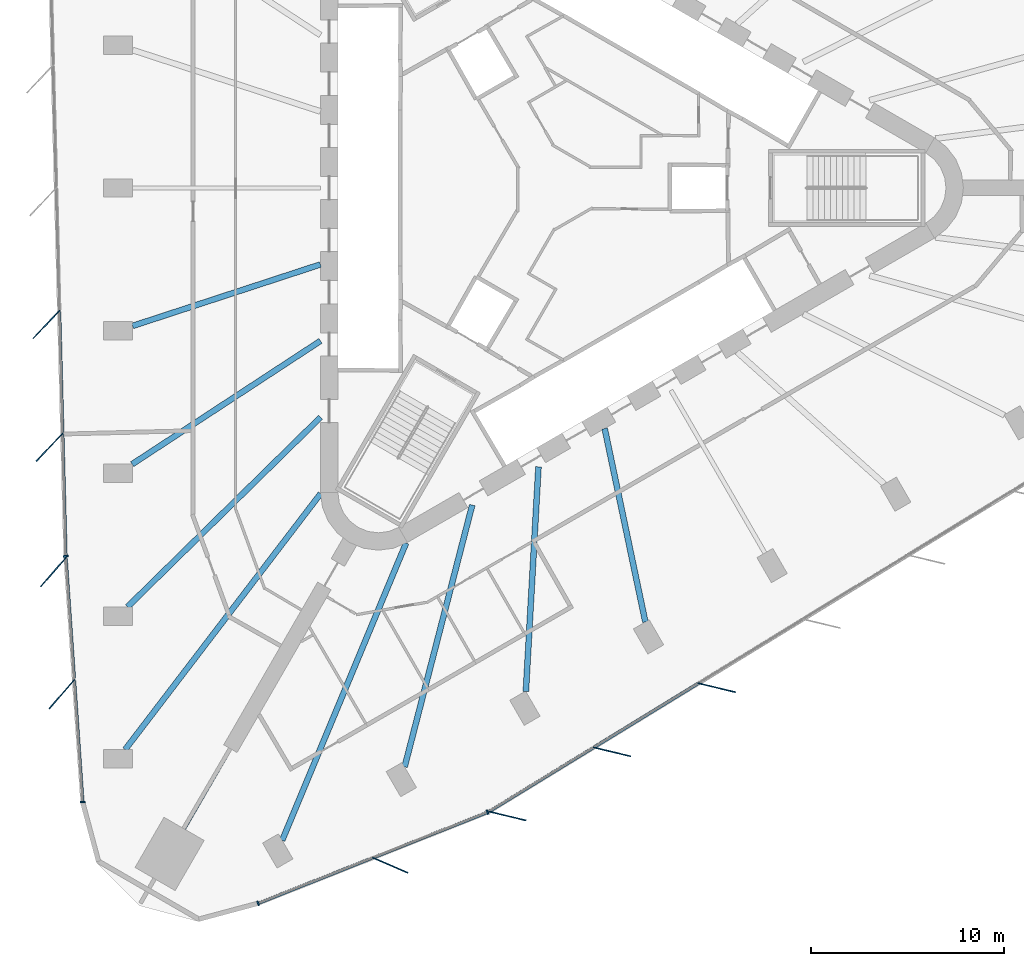
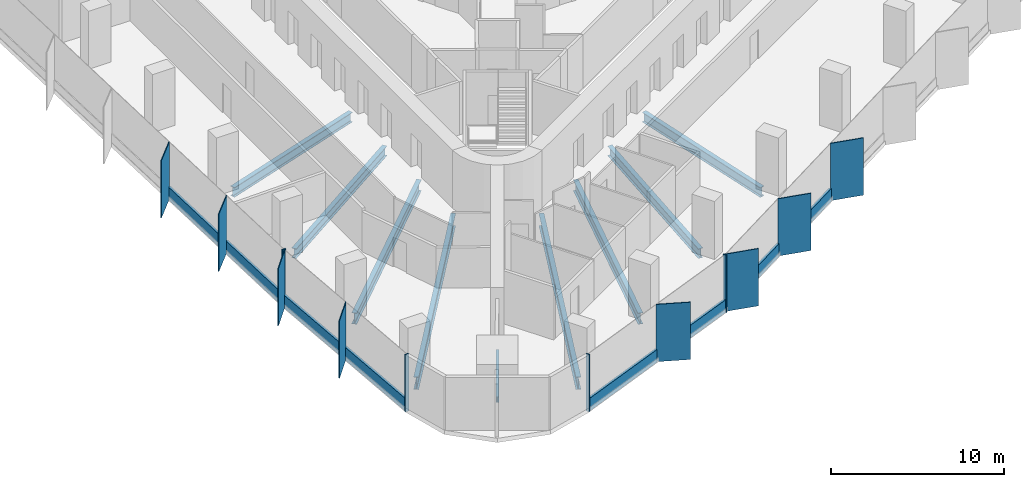
# One storey, part 2 of 14: 20 members, 9 beams, 4 elements without a shape of their own.
"""IFC4 building model written with IfcOpenShell, lengths in metres."""

from ifc_helpers import new_model, si_unit, direction, frame, origin, origin_2d, place, context, subcontext, project, spatial, rectangle, i_section, extrude, material, material_profile, profile_set, type_object, element, aggregate, save


model = new_model("IFC4")

# Units and contexts
model_context = context("Model", 3, precision=1e-05, world=origin(), true_north=direction((0.0, 1.0)))
body_context = subcontext(model_context, "Body", "Model", "MODEL_VIEW")
ifc_project = project(units=[si_unit("LENGTHUNIT", "METRE"), si_unit("AREAUNIT", "SQUARE_METRE"), si_unit("VOLUMEUNIT", "CUBIC_METRE"), si_unit("PLANEANGLEUNIT", "RADIAN"), si_unit("MASSUNIT", "GRAM", prefix="KILO")], contexts=[model_context])

# Site, building, storey
site_placement = place(None, origin())
site = spatial("IfcSite", under=ifc_project, at=site_placement, CompositionType="ELEMENT")
building_placement = place(site_placement, origin())
building = spatial("IfcBuilding", under=site, at=building_placement, Name="Tanit Gate Tower", CompositionType="ELEMENT")
storey_placement = place(building_placement, frame((0.0, 0.0, 152.10009765625)))
storey = spatial("IfcBuildingStorey", under=building, at=storey_placement, Name="L33", CompositionType="ELEMENT", Elevation=152.10009765625)

# Curtain wall, members
ifc_material_1 = material(Name="Aluminium bronze anodised and glass", Category="aluminium")
curtain_wall_type = type_object("IfcCurtainWallType", Name="Curtain wall typical low", PredefinedType="NOTDEFINED", material=ifc_material_1)
curtain_wall_1_placement = place(storey_placement, origin())
curtain_wall_1 = element("IfcCurtainWall", 1, at=curtain_wall_1_placement, inside=storey, type_object=curtain_wall_type, Name="Curtain wall L33 W2", PredefinedType="NOTDEFINED")
ifc_material_2 = material(Name="Aluminium bronze anodised", Category="aluminium")
ifc_material_profile_1 = material_profile(ifc_material_2, rectangle(XDim=2.0, YDim=0.055908203125, at=origin_2d()), Name="56x2000 bronze fin mullion")
ifc_profile_set_1 = profile_set([ifc_material_profile_1], Name="Aluminium bronze anodised")
member_type_1 = type_object("IfcMemberType", Name="FIN MULLION 56x2000 bronze", PredefinedType="MULLION", material=ifc_profile_set_1)
member_1_placement = place(storey_placement, frame((-26.29541015625, -7.067138671875, -0.300048828125), z_axis=(0.0, 0.0, 1.0), x_axis=(0.688538110764, 0.725200158595, 0.0)))
member_1 = element("IfcMember", 2, at=member_1_placement, type_object=member_type_1, Name="Fin mullion L33 W2.5", PredefinedType="MULLION", context=body_context, shape_type="SweptSolid", body=[
    extrude(rectangle(XDim=2.0, YDim=0.055908203125, at=origin_2d()), origin(), (0.0, 0.0, 1.0), 4.050048828125),
])
member_2_placement = place(storey_placement, frame((-26.130615234375, -13.4248046875, -0.300048828125), z_axis=(0.0, 0.0, 1.0), x_axis=(0.688538110764, 0.725200158595, 0.0)))
member_2 = element("IfcMember", 3, at=member_2_placement, type_object=member_type_1, Name="Fin mullion L33 W2.6", PredefinedType="MULLION", context=body_context, shape_type="SweptSolid", body=[
    extrude(rectangle(XDim=2.0, YDim=0.055908203125, at=origin_2d()), origin(), (0.0, 0.0, 1.0), 4.050048828125),
])

curtain_wall_2_placement = place(storey_placement, origin())
curtain_wall_2 = element("IfcCurtainWall", 4, at=curtain_wall_2_placement, inside=storey, type_object=curtain_wall_type, Name="Curtain wall L33 W3", PredefinedType="NOTDEFINED")
member_3_placement = place(storey_placement, frame((-25.930908203125, -19.890625, -0.300048828125), z_axis=(0.0, 0.0, 1.0), x_axis=(0.656773444634, 0.754087954037, 0.0)))
member_3 = element("IfcMember", 5, at=member_3_placement, type_object=member_type_1, Name="Fin mullion L33 W3.1", PredefinedType="MULLION", context=body_context, shape_type="SweptSolid", body=[
    extrude(rectangle(XDim=2.0, YDim=0.055908203125, at=origin_2d()), origin(), (0.0, 0.0, 1.0), 4.050048828125),
])
member_4_placement = place(storey_placement, frame((-25.49462890625, -26.216796875, -0.300048828125), z_axis=(0.0, 0.0, 1.0), x_axis=(0.656773444634, 0.754087954037, 0.0)))
member_4 = element("IfcMember", 6, at=member_4_placement, type_object=member_type_1, Name="Fin mullion L33 W3.2", PredefinedType="MULLION", context=body_context, shape_type="SweptSolid", body=[
    extrude(rectangle(XDim=2.0, YDim=0.055908203125, at=origin_2d()), origin(), (0.0, 0.0, 1.0), 4.050048828125),
])

# Curtain wall, member
curtain_wall_3_placement = place(storey_placement, origin())
curtain_wall_3 = element("IfcCurtainWall", 7, at=curtain_wall_3_placement, inside=storey, type_object=curtain_wall_type, Name="Curtain wall L33 SE1", PredefinedType="NOTDEFINED")
member_5_placement = place(storey_placement, frame((-8.491943359375, -35.07861328125, -0.300048828125), z_axis=(0.0, 0.0, 1.0), x_axis=(-0.918101720276, 0.396344838778, 0.0)))
member_5 = element("IfcMember", 8, at=member_5_placement, type_object=member_type_1, Name="Fin mullion L33 SE1.2", PredefinedType="MULLION", context=body_context, shape_type="SweptSolid", body=[
    extrude(rectangle(XDim=2.0, YDim=0.055908203125, at=origin_2d()), origin(), (0.0, 0.0, 1.0), 4.050048828125),
])

# Curtain wall, members
curtain_wall_4_placement = place(storey_placement, origin())
curtain_wall_4 = element("IfcCurtainWall", 9, at=curtain_wall_4_placement, inside=storey, type_object=curtain_wall_type, Name="Curtain wall L33 SE2", PredefinedType="NOTDEFINED")
member_6_placement = place(storey_placement, frame((-2.42578125, -32.525390625, -0.300048828125), z_axis=(0.0, 0.0, 1.0), x_axis=(-0.972310815553, 0.233691416098, 0.0)))
member_6 = element("IfcMember", 10, at=member_6_placement, type_object=member_type_1, Name="Fin mullion L33 SE2.1", PredefinedType="MULLION", context=body_context, shape_type="SweptSolid", body=[
    extrude(rectangle(XDim=2.0, YDim=0.055908203125, at=origin_2d()), origin(), (0.0, 0.0, 1.0), 4.050048828125),
])
member_7_placement = place(storey_placement, frame((2.997802734375, -29.203857421875, -0.300048828125), z_axis=(0.0, 0.0, 1.0), x_axis=(-0.972310815553, 0.233691416098, 0.0)))
member_7 = element("IfcMember", 11, at=member_7_placement, type_object=member_type_1, Name="Fin mullion L33 SE2.2", PredefinedType="MULLION", context=body_context, shape_type="SweptSolid", body=[
    extrude(rectangle(XDim=2.0, YDim=0.055908203125, at=origin_2d()), origin(), (0.0, 0.0, 1.0), 4.050048828125),
])
member_8_placement = place(storey_placement, frame((8.421142578125, -25.882080078125, -0.300048828125), z_axis=(0.0, 0.0, 1.0), x_axis=(-0.972310815553, 0.233691416098, 0.0)))
member_8 = element("IfcMember", 12, at=member_8_placement, type_object=member_type_1, Name="Fin mullion L33 SE2.3", PredefinedType="MULLION", context=body_context, shape_type="SweptSolid", body=[
    extrude(rectangle(XDim=2.0, YDim=0.055908203125, at=origin_2d()), origin(), (0.0, 0.0, 1.0), 4.050048828125),
])

# Member
ifc_material_3 = material(Name="Aluminium bronze anodised", Category="aluminium")
ifc_material_profile_2 = material_profile(ifc_material_3, rectangle(XDim=0.239990234375, YDim=0.080078125, at=origin_2d()), Name="80x240 bronze mullion")
ifc_profile_set_2 = profile_set([ifc_material_profile_2], Name="Aluminium bronze anodised")
member_type_2 = type_object("IfcMemberType", Name="Mullion 80x240 typical low", PredefinedType="MULLION", material=ifc_profile_set_2)
member_9_placement = place(storey_placement, frame((-25.292724609375, -19.07373046875, -0.300048828125), z_axis=(0.0, 0.0, 1.0), x_axis=(0.999663917086, 0.025923982634, 0.0)))
member_9 = element("IfcMember", 13, at=member_9_placement, type_object=member_type_2, Name="Mullion L33 W2.7", PredefinedType="MULLION", context=body_context, shape_type="SweptSolid", body=[
    extrude(rectangle(XDim=0.239990234375, YDim=0.080078125, at=origin_2d()), origin(), (0.0, 0.0, 1.0), 4.050048828125),
])

member_10_placement = place(storey_placement, frame((-24.416259765625, -31.80615234375, -0.300048828125), z_axis=(0.0, 0.0, 1.0), x_axis=(0.997629662315, 0.068811749506, 0.0)))
member_10 = element("IfcMember", 14, at=member_10_placement, type_object=member_type_2, Name="Mullion L33 W3.3", PredefinedType="MULLION", context=body_context, shape_type="SweptSolid", body=[
    extrude(rectangle(XDim=0.239990234375, YDim=0.080078125, at=origin_2d()), origin(), (0.0, 0.0, 1.0), 4.050048828125),
])

member_11_placement = place(storey_placement, frame((-15.3310546875, -37.0498046875, -0.300048828125), z_axis=(0.0, 0.0, 1.0), x_axis=(-0.368937829038, 0.929454075414, 0.0)))
member_11 = element("IfcMember", 15, at=member_11_placement, type_object=member_type_2, Name="Mullion L33 SE1.1", PredefinedType="MULLION", context=body_context, shape_type="SweptSolid", body=[
    extrude(rectangle(XDim=0.239990234375, YDim=0.080078125, at=origin_2d()), origin(), (0.0, 0.0, 1.0), 4.050048828125),
])

member_12_placement = place(storey_placement, frame((-3.447265625, -32.332763671875, -0.300048828125), z_axis=(0.0, 0.0, 1.0), x_axis=(-0.368937829038, 0.929454075414, 0.0)))
member_12 = element("IfcMember", 16, at=member_12_placement, type_object=member_type_2, Name="Mullion L33 SE1.3", PredefinedType="MULLION", context=body_context, shape_type="SweptSolid", body=[
    extrude(rectangle(XDim=0.239990234375, YDim=0.080078125, at=origin_2d()), origin(), (0.0, 0.0, 1.0), 4.050048828125),
])

# Beams
ifc_material_4 = material(Name="Steel S355", Category="steel")
ifc_material_profile_3 = material_profile(ifc_material_4, i_section(OverallWidth=0.300048828125, OverallDepth=0.68994140625, WebThickness=0.014404296875, FlangeThickness=0.027099609375, FilletRadius=0.027099609375, at=origin_2d()), Name="HEA 700")
ifc_profile_set_3 = profile_set([ifc_material_profile_3], Name="Steel S355")
beam_type_1 = type_object("IfcBeamType", Name="RADIAL GIRDER HEA 700 S355", PredefinedType="BEAM", material=ifc_profile_set_3)
beam_1_placement = place(storey_placement, frame((-21.83251953125, -7.14599609375, -0.64501953125), z_axis=(0.950388541719, 0.311065298242, 0.0), x_axis=(-0.311065298242, 0.950388541719, 0.0)))
element("IfcBeam", 17, at=beam_1_placement, inside=storey, type_object=beam_type_1, Name="RADIAL GIRDER", PredefinedType="BEAM", context=body_context, shape_type="SweptSolid", body=[
    extrude(i_section(OverallWidth=0.300048828125, OverallDepth=0.68994140625, WebThickness=0.014404296875, FlangeThickness=0.027099609375, FilletRadius=0.027099609375, at=origin_2d()), origin(), (0.0, 0.0, 1.0), 10.238525390625),
])
beam_2_placement = place(storey_placement, frame((-21.856689453125, -14.307861328125, -0.64501953125), z_axis=(0.836666622901, 0.547712481256, 0.0), x_axis=(-0.547712481256, 0.836666622901, 0.0)))
element("IfcBeam", 18, at=beam_2_placement, inside=storey, type_object=beam_type_1, Name="RADIAL GIRDER", PredefinedType="BEAM", context=body_context, shape_type="SweptSolid", body=[
    extrude(i_section(OverallWidth=0.300048828125, OverallDepth=0.68994140625, WebThickness=0.014404296875, FlangeThickness=0.027099609375, FilletRadius=0.027099609375, at=origin_2d()), origin(), (0.0, 0.0, 1.0), 11.658935546875),
])
beam_3_placement = place(storey_placement, frame((-1.46240234375, -26.08251953125, -0.64501953125), z_axis=(0.055972182093, 0.998432328619, 0.0), x_axis=(-0.998432328619, 0.055972182093, 0.0)))
element("IfcBeam", 19, at=beam_3_placement, inside=storey, type_object=beam_type_1, Name="RADIAL GIRDER", PredefinedType="BEAM", context=body_context, shape_type="SweptSolid", body=[
    extrude(i_section(OverallWidth=0.300048828125, OverallDepth=0.68994140625, WebThickness=0.014404296875, FlangeThickness=0.027099609375, FilletRadius=0.027099609375, at=origin_2d()), origin(), (0.0, 0.0, 1.0), 11.6591796875),
])
beam_4_placement = place(storey_placement, frame((4.7275390625, -22.48046875, -0.64501953125), z_axis=(-0.205786947525, 0.978596818015, 0.0), x_axis=(-0.978596818015, -0.205786947525, 0.0)))
element("IfcBeam", 20, at=beam_4_placement, inside=storey, type_object=beam_type_1, Name="RADIAL GIRDER", PredefinedType="BEAM", context=body_context, shape_type="SweptSolid", body=[
    extrude(i_section(OverallWidth=0.300048828125, OverallDepth=0.68994140625, WebThickness=0.014404296875, FlangeThickness=0.027099609375, FilletRadius=0.027099609375, at=origin_2d()), origin(), (0.0, 0.0, 1.0), 10.238525390625),
])
ifc_material_5 = material(Name="Steel S355", Category="steel")
ifc_material_profile_4 = material_profile(ifc_material_5, i_section(OverallWidth=0.300048828125, OverallDepth=0.7900390625, WebThickness=0.014892578125, FlangeThickness=0.028076171875, FilletRadius=0.030029296875, at=origin_2d()), Name="HEA 800")
ifc_profile_set_4 = profile_set([ifc_material_profile_4], Name="Steel S355")
beam_type_2 = type_object("IfcBeamType", Name="RADIAL GIRDER HEA 800 S355", PredefinedType="BEAM", material=ifc_profile_set_4)
for number, where, z_axis, x_axis, name in (
    (21, (-22.0986328125, -21.69921875, -0.695068359375), (0.713525004951, 0.70062976479, 0.0), (-0.70062976479, 0.713525004951, 0.0), "RADIAL GIRDER"),
    (22, (-7.742919921875, -29.98779296875, -0.695068359375), (0.250007137307, 0.968243993679, 0.0), (-0.968243993679, 0.250007137307, 0.0), "RADIAL GIRDER"),
):
    element("IfcBeam", number, at=place(storey_placement, frame(where, z_axis=z_axis, x_axis=x_axis)), inside=storey, type_object=beam_type_2, Name=name, PredefinedType="BEAM", context=body_context, shape_type="SweptSolid", body=[
        extrude(i_section(OverallWidth=0.300048828125, OverallDepth=0.7900390625, WebThickness=0.014892578125, FlangeThickness=0.028076171875, FilletRadius=0.030029296875, at=origin_2d()), origin(), (0.0, 0.0, 1.0), 14.01025390625),
    ])
ifc_material_6 = material(Name="Steel S355", Category="steel")
ifc_material_profile_5 = material_profile(ifc_material_6, i_section(OverallWidth=0.300048828125, OverallDepth=0.889892578125, WebThickness=0.01611328125, FlangeThickness=0.030029296875, FilletRadius=0.030029296875, at=origin_2d()), Name="HEA 900")
ifc_profile_set_5 = profile_set([ifc_material_profile_5], Name="Steel S355")
beam_type_3 = type_object("IfcBeamType", Name="RADIAL GIRDER HEA 900 S355", PredefinedType="BEAM", material=ifc_profile_set_5)
for number, where, z_axis, x_axis, name in (
    (23, (-22.219482421875, -29.0908203125, -0.7451171875), (0.606989396765, 0.794709929606, 0.0), (-0.794709929606, 0.606989396765, 0.0), "RADIAL GIRDER"),
    (24, (-14.08349609375, -33.7880859375, -0.7451171875), (0.384731757577, 0.923028425733, 0.0), (-0.923028425733, 0.384731757577, 0.0), "RADIAL GIRDER"),
):
    element("IfcBeam", number, at=place(storey_placement, frame(where, z_axis=z_axis, x_axis=x_axis)), inside=storey, type_object=beam_type_3, Name=name, PredefinedType="BEAM", context=body_context, shape_type="SweptSolid", body=[
        extrude(i_section(OverallWidth=0.300048828125, OverallDepth=0.889892578125, WebThickness=0.01611328125, FlangeThickness=0.030029296875, FilletRadius=0.030029296875, at=origin_2d()), origin(), (0.0, 0.0, 1.0), 16.68359375),
    ])
ifc_material_7 = material(Name="Steel S355", Category="steel")
ifc_material_profile_6 = material_profile(ifc_material_7, i_section(OverallWidth=0.179931640625, OverallDepth=0.39990234375, WebThickness=0.008544921875, FlangeThickness=0.013427734375, FilletRadius=0.02099609375, at=origin_2d()), Name="IPE 400")
ifc_profile_set_6 = profile_set([ifc_material_profile_6], Name="Steel S355")
beam_type_4 = type_object("IfcBeamType", Name="RADIAL GIRDER IPE 400 S355", PredefinedType="BEAM", material=ifc_profile_set_6)
beam_5_placement = place(storey_placement, frame((-19.1650390625, -33.19482421875, -0.5), z_axis=(0.499998569178, 0.866026229868, 0.0), x_axis=(-0.866026229868, 0.499998569178, 0.0)))
element("IfcBeam", 25, at=beam_5_placement, inside=storey, type_object=beam_type_4, Name="RADIAL GIRDER", PredefinedType="BEAM", context=body_context, shape_type="SweptSolid", body=[
    extrude(i_section(OverallWidth=0.179931640625, OverallDepth=0.39990234375, WebThickness=0.008544921875, FlangeThickness=0.013427734375, FilletRadius=0.02099609375, at=origin_2d()), origin(), (0.0, 0.0, 1.0), 4.79638671875),
])

# Member
ifc_material_8 = material(Name="Aluminium bronze anodised", Category="aluminium")
ifc_material_profile_7 = material_profile(ifc_material_8, rectangle(XDim=0.159912109375, YDim=0.89990234375, at=origin_2d()), Name="160x900 bronze transom")
ifc_profile_set_7 = profile_set([ifc_material_profile_7], Name="Aluminium bronze anodised")
member_type_3 = type_object("IfcMemberType", Name="Transom 160x900 typical low", PredefinedType="USERDEFINED", material=ifc_profile_set_7)
member_13_placement = place(storey_placement, frame((-25.62158203125, -6.3984375, 0.14990234375), z_axis=(0.025931462812, -0.999663723077, 0.0), x_axis=(0.999663723077, 0.025931462812, 0.0)))
member_13 = element("IfcMember", 26, at=member_13_placement, type_object=member_type_3, Name="Transom L33 W2.5", ObjectType="TRANSOM", PredefinedType="USERDEFINED", context=body_context, shape_type="SweptSolid", body=[
    extrude(rectangle(XDim=0.159912109375, YDim=0.89990234375, at=origin_2d()), origin(), (0.0, 0.0, 1.0), 6.27978515625),
])

member_14_placement = place(storey_placement, frame((-25.45654296875, -12.756103515625, 0.14990234375), z_axis=(0.025931462812, -0.999663723077, 0.0), x_axis=(0.999663723077, 0.025931462812, 0.0)))
member_14 = element("IfcMember", 27, at=member_14_placement, type_object=member_type_3, Name="Transom L33 W2.6", ObjectType="TRANSOM", PredefinedType="USERDEFINED", context=body_context, shape_type="SweptSolid", body=[
    extrude(rectangle(XDim=0.159912109375, YDim=0.89990234375, at=origin_2d()), origin(), (0.0, 0.0, 1.0), 6.27978515625),
])

aggregate(curtain_wall_1, [member_1, member_2, member_9, member_13, member_14])

member_15_placement = place(storey_placement, frame((-25.2861328125, -19.193603515625, 0.14990234375), z_axis=(0.068783356585, -0.997631620317, 0.0), x_axis=(0.997631620317, 0.068783356585, 0.0)))
member_15 = element("IfcMember", 28, at=member_15_placement, type_object=member_type_3, Name="Transom L33 W3.1", ObjectType="TRANSOM", PredefinedType="USERDEFINED", context=body_context, shape_type="SweptSolid", body=[
    extrude(rectangle(XDim=0.159912109375, YDim=0.89990234375, at=origin_2d()), origin(), (0.0, 0.0, 1.0), 6.26123046875),
])

member_16_placement = place(storey_placement, frame((-24.849853515625, -25.519775390625, 0.14990234375), z_axis=(0.068822164781, -0.997628943864, 0.0), x_axis=(0.997628943864, 0.068822164781, 0.0)))
member_16 = element("IfcMember", 29, at=member_16_placement, type_object=member_type_3, Name="Transom L33 W3.2", ObjectType="TRANSOM", PredefinedType="USERDEFINED", context=body_context, shape_type="SweptSolid", body=[
    extrude(rectangle(XDim=0.159912109375, YDim=0.89990234375, at=origin_2d()), origin(), (0.0, 0.0, 1.0), 6.26123046875),
])

aggregate(curtain_wall_2, [member_3, member_4, member_10, member_15, member_16])

member_17_placement = place(storey_placement, frame((-15.293701171875, -37.034912109375, 0.14990234375), z_axis=(0.929462927587, 0.368915527244, 0.0), x_axis=(-0.368915527244, 0.929462927587, 0.0)))
member_17 = element("IfcMember", 30, at=member_17_placement, type_object=member_type_3, Name="Transom L33 SE1.1", ObjectType="TRANSOM", PredefinedType="USERDEFINED", context=body_context, shape_type="SweptSolid", body=[
    extrude(rectangle(XDim=0.159912109375, YDim=0.89990234375, at=origin_2d()), origin(), (0.0, 0.0, 1.0), 6.312744140625),
])

member_18_placement = place(storey_placement, frame((-9.35205078125, -34.676513671875, 0.14990234375), z_axis=(0.929449665967, 0.368948937433, 0.0), x_axis=(-0.368948937433, 0.929449665967, 0.0)))
member_18 = element("IfcMember", 31, at=member_18_placement, type_object=member_type_3, Name="Transom L33 SE1.2", ObjectType="TRANSOM", PredefinedType="USERDEFINED", context=body_context, shape_type="SweptSolid", body=[
    extrude(rectangle(XDim=0.159912109375, YDim=0.89990234375, at=origin_2d()), origin(), (0.0, 0.0, 1.0), 6.312744140625),
])

aggregate(curtain_wall_3, [member_11, member_5, member_12, member_17, member_18])

member_19_placement = place(storey_placement, frame((-3.342041015625, -32.276123046875, 0.14990234375), z_axis=(0.852774977088, 0.522278506597, 0.0), x_axis=(-0.522278506597, 0.852774977088, 0.0)))
member_19 = element("IfcMember", 32, at=member_19_placement, type_object=member_type_3, Name="Transom L33 SE2.1", ObjectType="TRANSOM", PredefinedType="USERDEFINED", context=body_context, shape_type="SweptSolid", body=[
    extrude(rectangle(XDim=0.159912109375, YDim=0.89990234375, at=origin_2d()), origin(), (0.0, 0.0, 1.0), 6.27978515625),
])

member_20_placement = place(storey_placement, frame((2.08154296875, -28.95458984375, 0.14990234375), z_axis=(0.852757661536, 0.522306778333, 0.0), x_axis=(-0.522306778333, 0.852757661536, 0.0)))
member_20 = element("IfcMember", 33, at=member_20_placement, type_object=member_type_3, Name="Transom L33 SE2.2", ObjectType="TRANSOM", PredefinedType="USERDEFINED", context=body_context, shape_type="SweptSolid", body=[
    extrude(rectangle(XDim=0.159912109375, YDim=0.89990234375, at=origin_2d()), origin(), (0.0, 0.0, 1.0), 6.27978515625),
])

aggregate(curtain_wall_4, [member_6, member_7, member_8, member_19, member_20])

save(model, "model.ifc")
